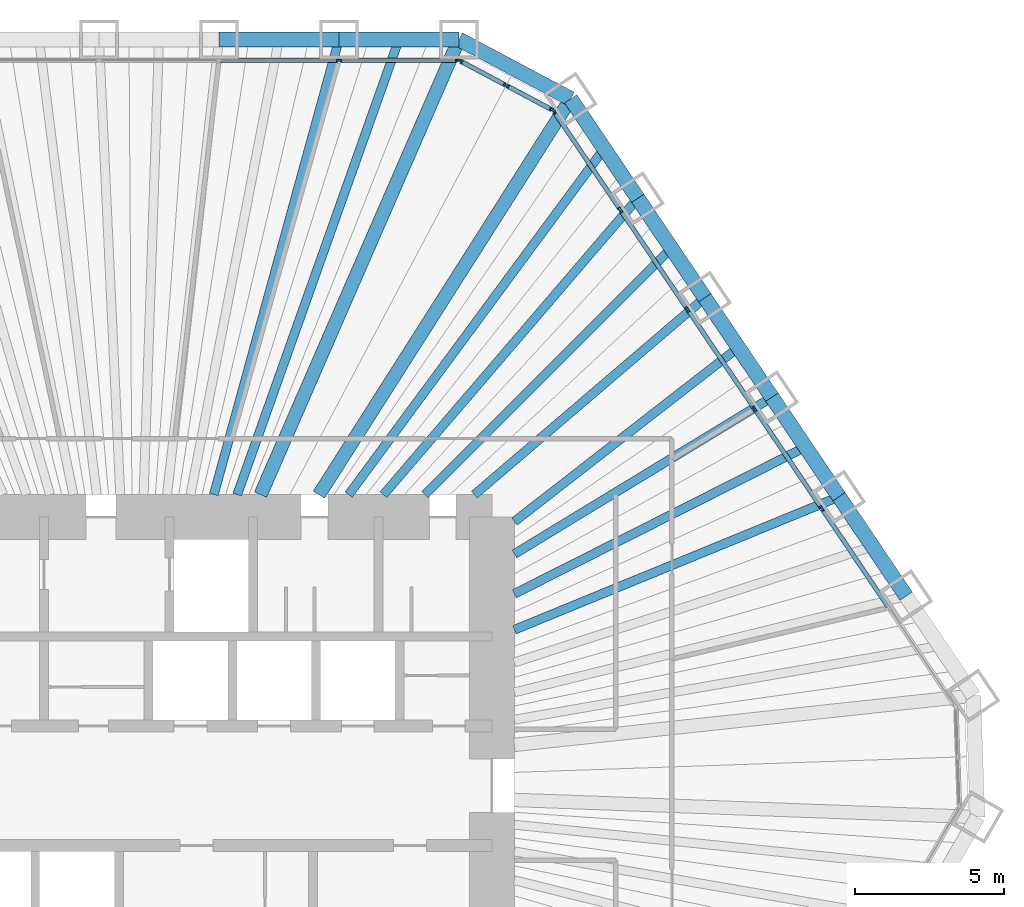
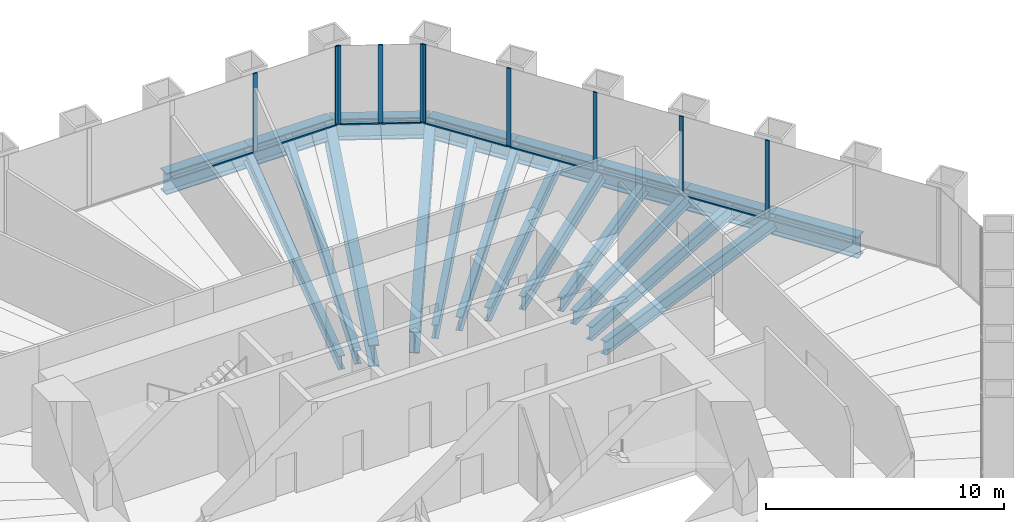
# One storey, part 7 of 13: 20 beams, 19 members, 3 elements without a shape of their own.
"""IFC4 building model written with IfcOpenShell, lengths in metres."""

from ifc_helpers import new_model, si_unit, direction, frame, origin, origin_2d, place, context, subcontext, project, spatial, rectangle, i_section, extrude, material, material_profile, profile_set, type_object, element, aggregate, save


model = new_model("IFC4")

# Units and contexts
model_context = context("Model", 3, precision=1e-05, world=origin(), true_north=direction((0.0, 1.0)))
body_context = subcontext(model_context, "Body", "Model", "MODEL_VIEW")
ifc_project = project(units=[si_unit("LENGTHUNIT", "METRE"), si_unit("AREAUNIT", "SQUARE_METRE"), si_unit("VOLUMEUNIT", "CUBIC_METRE"), si_unit("PLANEANGLEUNIT", "RADIAN"), si_unit("MASSUNIT", "GRAM", prefix="KILO")], contexts=[model_context])

# Site, building, storey
site_placement = place(None, origin())
site = spatial("IfcSite", under=ifc_project, at=site_placement, CompositionType="ELEMENT")
building_placement = place(site_placement, origin())
building = spatial("IfcBuilding", under=site, at=building_placement, Name="Qingtian Harvest Tower", CompositionType="ELEMENT")
storey_placement = place(building_placement, frame((0.0, 0.0, 132.39990234375)))
storey = spatial("IfcBuildingStorey", under=building, at=storey_placement, Name="L27", CompositionType="ELEMENT", Elevation=132.39990234375)

# Beams
ifc_material_1 = material(Name="Steel SM570MC", Category="steel")
ifc_material_profile_1 = material_profile(ifc_material_1, i_section(OverallWidth=0.449951171875, OverallDepth=1.10009765625, WebThickness=0.02197265625, FlangeThickness=0.044921875, at=origin_2d()), Name="H1100x450x22x45")
ifc_profile_set_1 = profile_set([ifc_material_profile_1], Name="Steel SM570MC")
beam_type_1 = type_object("IfcBeamType", Name="Corner floor beam FB8 H1100x450x22x45", PredefinedType="BEAM", material=ifc_profile_set_1)
beam_1_placement = place(storey_placement, frame((10.892822265625, 25.0, -0.719970703125), z_axis=(-0.399451016538, -0.916754539333, 0.0), x_axis=(0.916754539333, -0.399451016538, 0.0)))
element("IfcBeam", 1, at=beam_1_placement, inside=storey, type_object=beam_type_1, Name="Floor beam FB8 N6", PredefinedType="BEAM", context=body_context, shape_type="SweptSolid", body=[
    extrude(i_section(OverallWidth=0.449951171875, OverallDepth=1.10009765625, WebThickness=0.02197265625, FlangeThickness=0.044921875, at=origin_2d()), origin(), (0.0, 0.0, 1.0), 16.634765625),
])
beam_2_placement = place(storey_placement, frame((14.634765625, 23.01025390625, -0.719970703125), z_axis=(-0.536660352939, -0.843798355997, 0.0), x_axis=(0.843798355997, -0.536660352939, 0.0)))
element("IfcBeam", 2, at=beam_2_placement, inside=storey, type_object=beam_type_1, Name="Floor beam FB8 NE0", PredefinedType="BEAM", context=body_context, shape_type="SweptSolid", body=[
    extrude(i_section(OverallWidth=0.449951171875, OverallDepth=1.10009765625, WebThickness=0.02197265625, FlangeThickness=0.044921875, at=origin_2d()), origin(), (0.0, 0.0, 1.0), 15.71484375),
])
ifc_material_2 = material(Name="Steel SN490B", Category="steel")
ifc_material_profile_2 = material_profile(ifc_material_2, i_section(OverallWidth=0.300048828125, OverallDepth=0.699951171875, WebThickness=0.012939453125, FlangeThickness=0.02392578125, at=origin_2d()), Name="H700x300x13x24")
ifc_profile_set_2 = profile_set([ifc_material_profile_2], Name="Steel SN490B")
beam_type_2 = type_object("IfcBeamType", Name="Floor beam FB2 H700x300x13x24", PredefinedType="BEAM", material=ifc_profile_set_2)
beam_3_placement = place(storey_placement, frame((6.873779296875, 25.0, -0.52001953125), z_axis=(-0.265119170108, -0.964215653078, 0.0), x_axis=(0.964215653078, -0.265119170108, 0.0)))
element("IfcBeam", 3, at=beam_3_placement, inside=storey, type_object=beam_type_2, Name="Floor beam FB2 N5", PredefinedType="BEAM", context=body_context, shape_type="SweptSolid", body=[
    extrude(i_section(OverallWidth=0.300048828125, OverallDepth=0.699951171875, WebThickness=0.012939453125, FlangeThickness=0.02392578125, at=origin_2d()), origin(), (0.0, 0.0, 1.0), 15.81591796875),
])
beam_4_placement = place(storey_placement, frame((16.88232421875, 19.67822265625, -0.52001953125), z_axis=(-0.651140196702, -0.758957471957, 0.0), x_axis=(0.758957471957, -0.651140196702, 0.0)))
element("IfcBeam", 4, at=beam_4_placement, inside=storey, type_object=beam_type_2, Name="Floor beam FB2 NE1", PredefinedType="BEAM", context=body_context, shape_type="SweptSolid", body=[
    extrude(i_section(OverallWidth=0.300048828125, OverallDepth=0.699951171875, WebThickness=0.012939453125, FlangeThickness=0.02392578125, at=origin_2d()), origin(), (0.0, 0.0, 1.0), 13.081298828125),
])
beam_5_placement = place(storey_placement, frame((19.129638671875, 16.346435546875, -0.52001953125), z_axis=(-0.760241810635, -0.649640199928, 0.0), x_axis=(0.649640199928, -0.760241810635, 0.0)))
element("IfcBeam", 5, at=beam_5_placement, inside=storey, type_object=beam_type_2, Name="Floor beam FB2 NE2", PredefinedType="BEAM", context=body_context, shape_type="SweptSolid", body=[
    extrude(i_section(OverallWidth=0.300048828125, OverallDepth=0.699951171875, WebThickness=0.012939453125, FlangeThickness=0.02392578125, at=origin_2d()), origin(), (0.0, 0.0, 1.0), 10.154052734375),
])
beam_6_placement = place(storey_placement, frame((21.377197265625, 13.014404296875, -0.52001953125), z_axis=(-0.854160745245, -0.520009058846, 0.0), x_axis=(0.520009058846, -0.854160745245, 0.0)))
element("IfcBeam", 6, at=beam_6_placement, inside=storey, type_object=beam_type_2, Name="Floor beam FB2 NE3", PredefinedType="BEAM", context=body_context, shape_type="SweptSolid", body=[
    extrude(i_section(OverallWidth=0.300048828125, OverallDepth=0.699951171875, WebThickness=0.012939453125, FlangeThickness=0.02392578125, at=origin_2d()), origin(), (0.0, 0.0, 1.0), 10.10009765625),
])
beam_7_placement = place(storey_placement, frame((23.62451171875, 9.682373046875, -0.52001953125), z_axis=(-0.925304541163, -0.379224875375, 0.0), x_axis=(0.379224875375, -0.925304541163, 0.0)))
element("IfcBeam", 7, at=beam_7_placement, inside=storey, type_object=beam_type_2, Name="Floor beam FB2 NE4", PredefinedType="BEAM", context=body_context, shape_type="SweptSolid", body=[
    extrude(i_section(OverallWidth=0.300048828125, OverallDepth=0.699951171875, WebThickness=0.012939453125, FlangeThickness=0.02392578125, at=origin_2d()), origin(), (0.0, 0.0, 1.0), 11.75244140625),
])
ifc_material_3 = material(Name="Steel SN490B", Category="steel")
ifc_material_profile_3 = material_profile(ifc_material_3, i_section(OverallWidth=0.300048828125, OverallDepth=0.699951171875, WebThickness=0.012939453125, FlangeThickness=0.02392578125, at=origin_2d()), Name="H700x300x13x24")
ifc_profile_set_3 = profile_set([ifc_material_profile_3], Name="Steel SN490B")
beam_type_3 = type_object("IfcBeamType", Name="Floor joist J2 H700x300x13x24", PredefinedType="JOIST", material=ifc_profile_set_3)
beam_8_placement = place(storey_placement, frame((8.88330078125, 25.0, -0.52001953125), z_axis=(-0.334829909573, -0.94227858495, 0.0), x_axis=(0.94227858495, -0.334829909573, 0.0)))
element("IfcBeam", 8, at=beam_8_placement, inside=storey, type_object=beam_type_3, Name="Floor joist J2 N5", PredefinedType="JOIST", context=body_context, shape_type="SweptSolid", body=[
    extrude(i_section(OverallWidth=0.300048828125, OverallDepth=0.699951171875, WebThickness=0.012939453125, FlangeThickness=0.02392578125, at=origin_2d()), origin(), (0.0, 0.0, 1.0), 16.18408203125),
])
beam_9_placement = place(storey_placement, frame((15.758544921875, 21.34423828125, -0.52001953125), z_axis=(-0.593960386058, -0.804494288229, 0.0), x_axis=(0.804494288229, -0.593960386058, 0.0)))
element("IfcBeam", 9, at=beam_9_placement, inside=storey, type_object=beam_type_3, Name="Floor joist J2 NE0", PredefinedType="JOIST", context=body_context, shape_type="SweptSolid", body=[
    extrude(i_section(OverallWidth=0.300048828125, OverallDepth=0.699951171875, WebThickness=0.012939453125, FlangeThickness=0.02392578125, at=origin_2d()), origin(), (0.0, 0.0, 1.0), 14.411865234375),
])
beam_10_placement = place(storey_placement, frame((18.005859375, 18.012451171875, -0.52001953125), z_axis=(-0.706970932755, -0.707242603524, 0.0), x_axis=(0.707242603524, -0.706970932755, 0.0)))
element("IfcBeam", 10, at=beam_10_placement, inside=storey, type_object=beam_type_3, Name="Floor joist J2 NE1", PredefinedType="JOIST", context=body_context, shape_type="SweptSolid", body=[
    extrude(i_section(OverallWidth=0.300048828125, OverallDepth=0.699951171875, WebThickness=0.012939453125, FlangeThickness=0.02392578125, at=origin_2d()), origin(), (0.0, 0.0, 1.0), 11.6826171875),
])
beam_11_placement = place(storey_placement, frame((20.25341796875, 14.680419921875, -0.52001953125), z_axis=(-0.789641272199, -0.61356879096, 0.0), x_axis=(0.61356879096, -0.789641272199, 0.0)))
element("IfcBeam", 11, at=beam_11_placement, inside=storey, type_object=beam_type_3, Name="Floor joist J2 NE2", PredefinedType="JOIST", context=body_context, shape_type="SweptSolid", body=[
    extrude(i_section(OverallWidth=0.300048828125, OverallDepth=0.699951171875, WebThickness=0.012939453125, FlangeThickness=0.02392578125, at=origin_2d()), origin(), (0.0, 0.0, 1.0), 9.502197265625),
])
beam_12_placement = place(storey_placement, frame((22.500732421875, 11.348388671875, -0.52001953125), z_axis=(-0.892861323685, -0.450331718478, 0.0), x_axis=(0.450331718478, -0.892861323685, 0.0)))
element("IfcBeam", 12, at=beam_12_placement, inside=storey, type_object=beam_type_3, Name="Floor joist J2 NE3", PredefinedType="JOIST", context=body_context, shape_type="SweptSolid", body=[
    extrude(i_section(OverallWidth=0.300048828125, OverallDepth=0.699951171875, WebThickness=0.012939453125, FlangeThickness=0.02392578125, at=origin_2d()), origin(), (0.0, 0.0, 1.0), 10.920654296875),
])

# Curtain wall, members
ifc_material_4 = material(Name="Bronze-anodised aluminium curtain wall", Category="aluminium")
curtain_wall_type = type_object("IfcCurtainWallType", Name="Curtain wall CW4 office", PredefinedType="USERDEFINED", material=ifc_material_4)
curtain_wall_1_placement = place(storey_placement, origin())
curtain_wall_1 = element("IfcCurtainWall", 13, at=curtain_wall_1_placement, inside=storey, type_object=curtain_wall_type, Name="Curtain wall CW4 L27 N0-5", ObjectType="RECESSED CURTAIN WALL", PredefinedType="USERDEFINED")
ifc_material_5 = material(Name="Bronze-anodised aluminium mullion", Category="aluminium")
ifc_material_profile_4 = material_profile(ifc_material_5, rectangle(XDim=0.06494140625, YDim=0.199951171875, at=origin_2d()), Name="AL 65x200")
ifc_profile_set_4 = profile_set([ifc_material_profile_4], Name="Bronze-anodised aluminium mullion")
member_type_1 = type_object("IfcMemberType", Name="Mullion CWM 65x200", PredefinedType="MULLION", material=ifc_profile_set_4)
member_1_placement = place(storey_placement, frame((6.873779296875, 24.300048828125, 0.0), z_axis=(0.0, 0.0, 1.0), x_axis=(0.0, 1.0, 0.0)))
member_1 = element("IfcMember", 14, at=member_1_placement, type_object=member_type_1, Name="CW4 mullion 6", PredefinedType="MULLION", context=body_context, shape_type="SweptSolid", body=[
    extrude(rectangle(XDim=0.06494140625, YDim=0.199951171875, at=origin_2d()), origin(), (0.0, 0.0, 1.0), 4.030029296875),
])
member_2_placement = place(storey_placement, frame((10.8603515625, 24.300048828125, 0.0), z_axis=(0.0, 0.0, 1.0), x_axis=(0.0, 1.0, 0.0)))
member_2 = element("IfcMember", 15, at=member_2_placement, type_object=member_type_1, Name="CW4 mullion 7", PredefinedType="MULLION", context=body_context, shape_type="SweptSolid", body=[
    extrude(rectangle(XDim=0.06494140625, YDim=0.199951171875, at=origin_2d()), origin(), (0.0, 0.0, 1.0), 4.030029296875),
])

curtain_wall_2_placement = place(storey_placement, origin())
curtain_wall_2 = element("IfcCurtainWall", 16, at=curtain_wall_2_placement, inside=storey, type_object=curtain_wall_type, Name="Curtain wall CW4 L27 NC", ObjectType="RECESSED CURTAIN WALL", PredefinedType="USERDEFINED")
member_3_placement = place(storey_placement, frame((10.92138671875, 24.28466796875, 0.0), z_axis=(0.0, 0.0, 1.0), x_axis=(0.469471562786, 0.882947592859, 0.0)))
member_3 = element("IfcMember", 17, at=member_3_placement, type_object=member_type_1, Name="CW4 mullion 1", PredefinedType="MULLION", context=body_context, shape_type="SweptSolid", body=[
    extrude(rectangle(XDim=0.06494140625, YDim=0.199951171875, at=origin_2d()), origin(), (0.0, 0.0, 1.0), 4.030029296875),
])
member_4_placement = place(storey_placement, frame((12.4736328125, 23.45947265625, 0.0), z_axis=(0.0, 0.0, 1.0), x_axis=(0.469471562786, 0.882947592859, 0.0)))
member_4 = element("IfcMember", 18, at=member_4_placement, type_object=member_type_1, Name="CW4 mullion 2", PredefinedType="MULLION", context=body_context, shape_type="SweptSolid", body=[
    extrude(rectangle(XDim=0.06494140625, YDim=0.199951171875, at=origin_2d()), origin(), (0.0, 0.0, 1.0), 4.030029296875),
])
member_5_placement = place(storey_placement, frame((14.02587890625, 22.634033203125, 0.0), z_axis=(0.0, 0.0, 1.0), x_axis=(0.469471562786, 0.882947592859, 0.0)))
member_5 = element("IfcMember", 19, at=member_5_placement, type_object=member_type_1, Name="CW4 mullion 3", PredefinedType="MULLION", context=body_context, shape_type="SweptSolid", body=[
    extrude(rectangle(XDim=0.06494140625, YDim=0.199951171875, at=origin_2d()), origin(), (0.0, 0.0, 1.0), 4.030029296875),
])

curtain_wall_3_placement = place(storey_placement, origin())
curtain_wall_3 = element("IfcCurtainWall", 20, at=curtain_wall_3_placement, inside=storey, type_object=curtain_wall_type, Name="Curtain wall CW4 L27 NE0-5", ObjectType="RECESSED CURTAIN WALL", PredefinedType="USERDEFINED")
member_6_placement = place(storey_placement, frame((14.07275390625, 22.592041015625, 0.0), z_axis=(0.0, 0.0, 1.0), x_axis=(0.829037572555, 0.559192903471, 0.0)))
member_6 = element("IfcMember", 21, at=member_6_placement, type_object=member_type_1, Name="CW4 mullion 1", PredefinedType="MULLION", context=body_context, shape_type="SweptSolid", body=[
    extrude(rectangle(XDim=0.06494140625, YDim=0.199951171875, at=origin_2d()), origin(), (0.0, 0.0, 1.0), 4.030029296875),
])
member_7_placement = place(storey_placement, frame((16.302001953125, 19.286865234375, 0.0), z_axis=(0.0, 0.0, 1.0), x_axis=(0.829037572555, 0.559192903471, 0.0)))
member_7 = element("IfcMember", 22, at=member_7_placement, type_object=member_type_1, Name="CW4 mullion 2", PredefinedType="MULLION", context=body_context, shape_type="SweptSolid", body=[
    extrude(rectangle(XDim=0.06494140625, YDim=0.199951171875, at=origin_2d()), origin(), (0.0, 0.0, 1.0), 4.030029296875),
])
member_8_placement = place(storey_placement, frame((18.54931640625, 15.954833984375, 0.0), z_axis=(0.0, 0.0, 1.0), x_axis=(0.829037572555, 0.559192903471, 0.0)))
member_8 = element("IfcMember", 23, at=member_8_placement, type_object=member_type_1, Name="CW4 mullion 3", PredefinedType="MULLION", context=body_context, shape_type="SweptSolid", body=[
    extrude(rectangle(XDim=0.06494140625, YDim=0.199951171875, at=origin_2d()), origin(), (0.0, 0.0, 1.0), 4.030029296875),
])
member_9_placement = place(storey_placement, frame((20.796875, 12.623046875, 0.0), z_axis=(0.0, 0.0, 1.0), x_axis=(0.829037572555, 0.559192903471, 0.0)))
member_9 = element("IfcMember", 24, at=member_9_placement, type_object=member_type_1, Name="CW4 mullion 4", PredefinedType="MULLION", context=body_context, shape_type="SweptSolid", body=[
    extrude(rectangle(XDim=0.06494140625, YDim=0.199951171875, at=origin_2d()), origin(), (0.0, 0.0, 1.0), 4.030029296875),
])
member_10_placement = place(storey_placement, frame((23.044189453125, 9.291015625, 0.0), z_axis=(0.0, 0.0, 1.0), x_axis=(0.829037572555, 0.559192903471, 0.0)))
member_10 = element("IfcMember", 25, at=member_10_placement, type_object=member_type_1, Name="CW4 mullion 5", PredefinedType="MULLION", context=body_context, shape_type="SweptSolid", body=[
    extrude(rectangle(XDim=0.06494140625, YDim=0.199951171875, at=origin_2d()), origin(), (0.0, 0.0, 1.0), 4.030029296875),
])

# Beams
ifc_material_6 = material(Name="Steel SM570MC", Category="steel")
ifc_material_profile_5 = material_profile(ifc_material_6, i_section(OverallWidth=0.5, OverallDepth=1.10009765625, WebThickness=0.02490234375, FlangeThickness=0.050048828125, at=origin_2d()), Name="H1100x500x25x50")
ifc_profile_set_5 = profile_set([ifc_material_profile_5], Name="Steel SM570MC")
beam_type_4 = type_object("IfcBeamType", Name="Spandrel beam SB2 H1100x500x25x50", PredefinedType="SPANDREL", material=ifc_profile_set_5)
beam_13_placement = place(storey_placement, frame((2.8544921875, 25.0, -0.5498046875), z_axis=(1.0, 0.0, 0.0), x_axis=(0.0, 1.0, 0.0)))
element("IfcBeam", 26, at=beam_13_placement, inside=storey, type_object=beam_type_4, Name="Spandrel SB2 N4", PredefinedType="SPANDREL", context=body_context, shape_type="SweptSolid", body=[
    extrude(i_section(OverallWidth=0.5, OverallDepth=1.10009765625, WebThickness=0.02490234375, FlangeThickness=0.050048828125, at=origin_2d()), origin(), (0.0, 0.0, 1.0), 4.019287109375),
])
beam_14_placement = place(storey_placement, frame((6.873779296875, 25.0, -0.5498046875), z_axis=(1.0, 0.0, 0.0), x_axis=(0.0, 1.0, 0.0)))
element("IfcBeam", 27, at=beam_14_placement, inside=storey, type_object=beam_type_4, Name="Spandrel SB2 N5", PredefinedType="SPANDREL", context=body_context, shape_type="SweptSolid", body=[
    extrude(i_section(OverallWidth=0.5, OverallDepth=1.10009765625, WebThickness=0.02490234375, FlangeThickness=0.050048828125, at=origin_2d()), origin(), (0.0, 0.0, 1.0), 4.01904296875),
])
beam_15_placement = place(storey_placement, frame((10.892822265625, 25.0, -0.5498046875), z_axis=(0.882935902835, -0.469493547863, 0.0), x_axis=(0.469493547863, 0.882935902835, 0.0)))
element("IfcBeam", 28, at=beam_15_placement, inside=storey, type_object=beam_type_4, Name="Spandrel SB2 NC", PredefinedType="SPANDREL", context=body_context, shape_type="SweptSolid", body=[
    extrude(i_section(OverallWidth=0.5, OverallDepth=1.10009765625, WebThickness=0.02490234375, FlangeThickness=0.050048828125, at=origin_2d()), origin(), (0.0, 0.0, 1.0), 4.238037109375),
])
beam_16_placement = place(storey_placement, frame((14.634765625, 23.01025390625, -0.5498046875), z_axis=(0.559205752254, -0.829028905796, 0.0), x_axis=(0.829028905796, 0.559205752254, 0.0)))
element("IfcBeam", 29, at=beam_16_placement, inside=storey, type_object=beam_type_4, Name="Spandrel SB2 NE0", PredefinedType="SPANDREL", context=body_context, shape_type="SweptSolid", body=[
    extrude(i_section(OverallWidth=0.5, OverallDepth=1.10009765625, WebThickness=0.02490234375, FlangeThickness=0.050048828125, at=origin_2d()), origin(), (0.0, 0.0, 1.0), 4.019287109375),
])
beam_17_placement = place(storey_placement, frame((16.88232421875, 19.67822265625, -0.5498046875), z_axis=(0.55919216322, -0.82903807186, 0.0), x_axis=(0.82903807186, 0.55919216322, 0.0)))
element("IfcBeam", 30, at=beam_17_placement, inside=storey, type_object=beam_type_4, Name="Spandrel SB2 NE1", PredefinedType="SPANDREL", context=body_context, shape_type="SweptSolid", body=[
    extrude(i_section(OverallWidth=0.5, OverallDepth=1.10009765625, WebThickness=0.02490234375, FlangeThickness=0.050048828125, at=origin_2d()), origin(), (0.0, 0.0, 1.0), 4.018798828125),
])
beam_18_placement = place(storey_placement, frame((19.129638671875, 16.346435546875, -0.5498046875), z_axis=(0.559205752254, -0.829028905796, 0.0), x_axis=(0.829028905796, 0.559205752254, 0.0)))
element("IfcBeam", 31, at=beam_18_placement, inside=storey, type_object=beam_type_4, Name="Spandrel SB2 NE2", PredefinedType="SPANDREL", context=body_context, shape_type="SweptSolid", body=[
    extrude(i_section(OverallWidth=0.5, OverallDepth=1.10009765625, WebThickness=0.02490234375, FlangeThickness=0.050048828125, at=origin_2d()), origin(), (0.0, 0.0, 1.0), 4.019287109375),
])
for number, where, z_axis, x_axis, name in (
    (32, (21.377197265625, 13.014404296875, -0.5498046875), (0.55916400171, -0.829057066306, 0.0), (0.829057066306, 0.55916400171, 0.0), "Spandrel SB2 NE3"),
    (33, (23.62451171875, 9.682373046875, -0.5498046875), (0.559233913953, -0.829009909159, 0.0), (0.829009909159, 0.559233913953, 0.0), "Spandrel SB2 NE4"),
):
    element("IfcBeam", number, at=place(storey_placement, frame(where, z_axis=z_axis, x_axis=x_axis)), inside=storey, type_object=beam_type_4, Name=name, PredefinedType="SPANDREL", context=body_context, shape_type="SweptSolid", body=[
        extrude(i_section(OverallWidth=0.5, OverallDepth=1.10009765625, WebThickness=0.02490234375, FlangeThickness=0.050048828125, at=origin_2d()), origin(), (0.0, 0.0, 1.0), 4.01904296875),
    ])

# Member
ifc_material_7 = material(Name="Bronze-anodised aluminium transom", Category="aluminium")
ifc_material_profile_6 = material_profile(ifc_material_7, rectangle(XDim=0.14990234375, YDim=0.06494140625, at=origin_2d()), Name="AL 65x150")
ifc_profile_set_6 = profile_set([ifc_material_profile_6], Name="Bronze-anodised aluminium transom")
member_type_2 = type_object("IfcMemberType", Name="Transom CWT 65x150", PredefinedType="USERDEFINED", material=ifc_profile_set_6)
member_11_placement = place(storey_placement, frame((2.886962890625, 24.300048828125, 0.03271484375), z_axis=(1.0, 0.0, 0.0), x_axis=(0.0, 1.0, 0.0)))
member_11 = element("IfcMember", 34, at=member_11_placement, type_object=member_type_2, Name="CW4 transom 5.1", ObjectType="TRANSOM", PredefinedType="USERDEFINED", context=body_context, shape_type="SweptSolid", body=[
    extrude(rectangle(XDim=0.14990234375, YDim=0.06494140625, at=origin_2d()), origin(), (0.0, 0.0, 1.0), 3.9541015625),
])

member_12_placement = place(storey_placement, frame((6.90625, 24.300048828125, 0.03271484375), z_axis=(1.0, 0.0, 0.0), x_axis=(0.0, 1.0, 0.0)))
member_12 = element("IfcMember", 35, at=member_12_placement, type_object=member_type_2, Name="CW4 transom 6.1", ObjectType="TRANSOM", PredefinedType="USERDEFINED", context=body_context, shape_type="SweptSolid", body=[
    extrude(rectangle(XDim=0.14990234375, YDim=0.06494140625, at=origin_2d()), origin(), (0.0, 0.0, 1.0), 3.92138671875),
])

aggregate(curtain_wall_1, [member_1, member_2, member_11, member_12])

member_13_placement = place(storey_placement, frame((10.9501953125, 24.26953125, 0.03271484375), z_axis=(0.882895287784, -0.469569921108, 0.0), x_axis=(0.469569921108, 0.882895287784, 0.0)))
member_13 = element("IfcMember", 36, at=member_13_placement, type_object=member_type_2, Name="CW4 transom 1.1", ObjectType="TRANSOM", PredefinedType="USERDEFINED", context=body_context, shape_type="SweptSolid", body=[
    extrude(rectangle(XDim=0.14990234375, YDim=0.06494140625, at=origin_2d()), origin(), (0.0, 0.0, 1.0), 1.69287109375),
])

member_14_placement = place(storey_placement, frame((12.502197265625, 23.444091796875, 0.03271484375), z_axis=(0.882986854304, -0.469397715297, 0.0), x_axis=(0.469397715297, 0.882986854304, 0.0)))
member_14 = element("IfcMember", 37, at=member_14_placement, type_object=member_type_2, Name="CW4 transom 2.1", ObjectType="TRANSOM", PredefinedType="USERDEFINED", context=body_context, shape_type="SweptSolid", body=[
    extrude(rectangle(XDim=0.14990234375, YDim=0.06494140625, at=origin_2d()), origin(), (0.0, 0.0, 1.0), 1.69287109375),
])

aggregate(curtain_wall_2, [member_3, member_4, member_5, member_13, member_14])

member_15_placement = place(storey_placement, frame((14.0908203125, 22.56494140625, 0.03271484375), z_axis=(0.55920336949, -0.82903051304, 0.0), x_axis=(0.82903051304, 0.55920336949, 0.0)))
member_15 = element("IfcMember", 38, at=member_15_placement, type_object=member_type_2, Name="CW4 transom 1.1", ObjectType="TRANSOM", PredefinedType="USERDEFINED", context=body_context, shape_type="SweptSolid", body=[
    extrude(rectangle(XDim=0.14990234375, YDim=0.06494140625, at=origin_2d()), origin(), (0.0, 0.0, 1.0), 3.92138671875),
])

member_16_placement = place(storey_placement, frame((16.320068359375, 19.260009765625, 0.03271484375), z_axis=(0.55920878069, -0.829026863014, 0.0), x_axis=(0.829026863014, 0.55920878069, 0.0)))
member_16 = element("IfcMember", 39, at=member_16_placement, type_object=member_type_2, Name="CW4 transom 2.1", ObjectType="TRANSOM", PredefinedType="USERDEFINED", context=body_context, shape_type="SweptSolid", body=[
    extrude(rectangle(XDim=0.14990234375, YDim=0.06494140625, at=origin_2d()), origin(), (0.0, 0.0, 1.0), 3.9541015625),
])

member_17_placement = place(storey_placement, frame((18.567626953125, 15.927978515625, 0.03271484375), z_axis=(0.559166343236, -0.82905548704, 0.0), x_axis=(0.82905548704, 0.559166343236, 0.0)))
member_17 = element("IfcMember", 40, at=member_17_placement, type_object=member_type_2, Name="CW4 transom 3.1", ObjectType="TRANSOM", PredefinedType="USERDEFINED", context=body_context, shape_type="SweptSolid", body=[
    extrude(rectangle(XDim=0.14990234375, YDim=0.06494140625, at=origin_2d()), origin(), (0.0, 0.0, 1.0), 3.9541015625),
])

member_18_placement = place(storey_placement, frame((20.81494140625, 12.595947265625, 0.03271484375), z_axis=(0.55920878069, -0.829026863014, 0.0), x_axis=(0.829026863014, 0.55920878069, 0.0)))
member_18 = element("IfcMember", 41, at=member_18_placement, type_object=member_type_2, Name="CW4 transom 4.1", ObjectType="TRANSOM", PredefinedType="USERDEFINED", context=body_context, shape_type="SweptSolid", body=[
    extrude(rectangle(XDim=0.14990234375, YDim=0.06494140625, at=origin_2d()), origin(), (0.0, 0.0, 1.0), 3.9541015625),
])

member_19_placement = place(storey_placement, frame((23.0625, 9.26416015625, 0.03271484375), z_axis=(0.559166343236, -0.82905548704, 0.0), x_axis=(0.82905548704, 0.559166343236, 0.0)))
member_19 = element("IfcMember", 42, at=member_19_placement, type_object=member_type_2, Name="CW4 transom 5.1", ObjectType="TRANSOM", PredefinedType="USERDEFINED", context=body_context, shape_type="SweptSolid", body=[
    extrude(rectangle(XDim=0.14990234375, YDim=0.06494140625, at=origin_2d()), origin(), (0.0, 0.0, 1.0), 3.9541015625),
])

aggregate(curtain_wall_3, [member_6, member_7, member_8, member_9, member_10, member_15, member_16, member_17, member_18, member_19])

save(model, "model.ifc")
